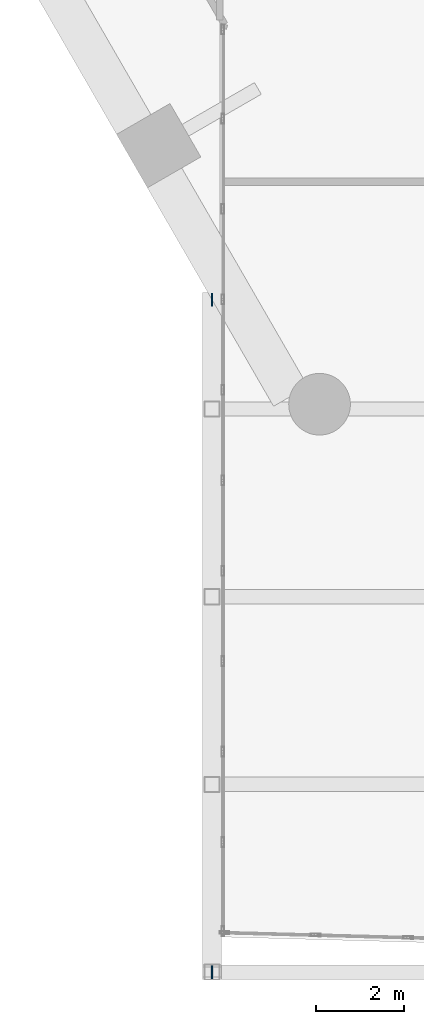
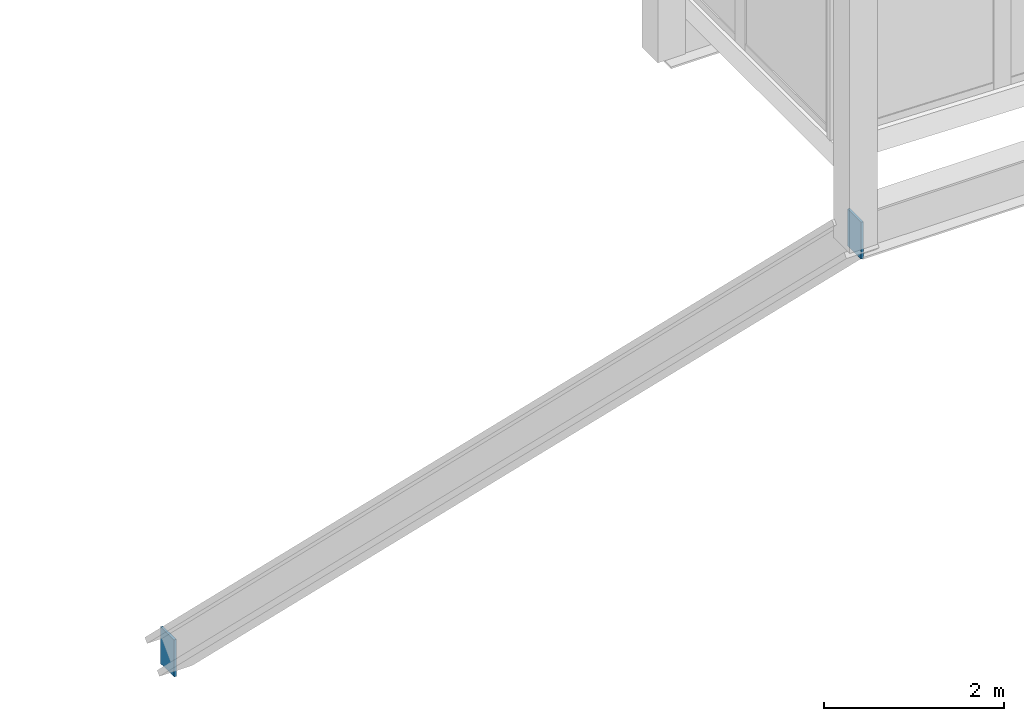
# One storey, part 35 of 38: 2 discrete accessories.
"""IFC4 building model written with IfcOpenShell, lengths in metres."""

from ifc_helpers import new_model, si_unit, direction, frame, origin, origin_2d, place, context, subcontext, project, spatial, rectangle, extrude, material, layer, layer_set, type_object, element, save


model = new_model("IFC4")

# Units and contexts
model_context = context("Model", 3, precision=1e-05, world=origin(), true_north=direction((0.0, 1.0)))
body_context = subcontext(model_context, "Body", "Model", "MODEL_VIEW")
ifc_project = project(units=[si_unit("LENGTHUNIT", "METRE"), si_unit("AREAUNIT", "SQUARE_METRE"), si_unit("VOLUMEUNIT", "CUBIC_METRE"), si_unit("PLANEANGLEUNIT", "RADIAN"), si_unit("MASSUNIT", "GRAM", prefix="KILO")], contexts=[model_context])

# Site, building, storey
site_placement = place(None, origin())
site = spatial("IfcSite", under=ifc_project, at=site_placement, CompositionType="ELEMENT")
building_placement = place(site_placement, origin())
building = spatial("IfcBuilding", under=site, at=building_placement, Name="Ostrander Bayou Hotel Tower", CompositionType="ELEMENT")
storey_placement = place(building_placement, frame((0.0, 0.0, 65.5)))
storey = spatial("IfcBuildingStorey", under=building, at=storey_placement, Name="L16", CompositionType="ELEMENT", Elevation=65.5)

# Discrete accessories
ifc_material = material(Name="Steel ASTM A572 Gr 50", Category="steel")
ifc_layer = layer(ifc_material, 0.030029296875)
ifc_layer_set = layer_set([ifc_layer], Name="GP1 gusset plate 30 mm")
discrete_accessory_type = type_object("IfcDiscreteAccessoryType", Name="GP1 gusset plate 30 mm", PredefinedType="BRACKET", material=ifc_layer_set)
for number, where, z_axis, x_axis, name in (
    (1, (-14.965087890625, -32.949951171875, -0.921875), (0.0, 0.0, 1.0), (0.0, 1.0, 0.0), "GP1 gusset plate bar 49"),
    (2, (-14.965087890625, -17.679931640625, -15.85009765625), (0.0, 0.0, 1.0), (0.0, 1.0, 0.0), "GP1 gusset plate bar 50"),
):
    element("IfcDiscreteAccessory", number, at=place(storey_placement, frame(where, z_axis=z_axis, x_axis=x_axis)), inside=storey, type_object=discrete_accessory_type, Name=name, PredefinedType="BRACKET", context=body_context, shape_type="SweptSolid", body=[
        extrude(rectangle(XDim=0.300048828125, YDim=0.030029296875, at=origin_2d()), origin(), (0.0, 0.0, 1.0), 0.5),
    ])

save(model, "model.ifc")
